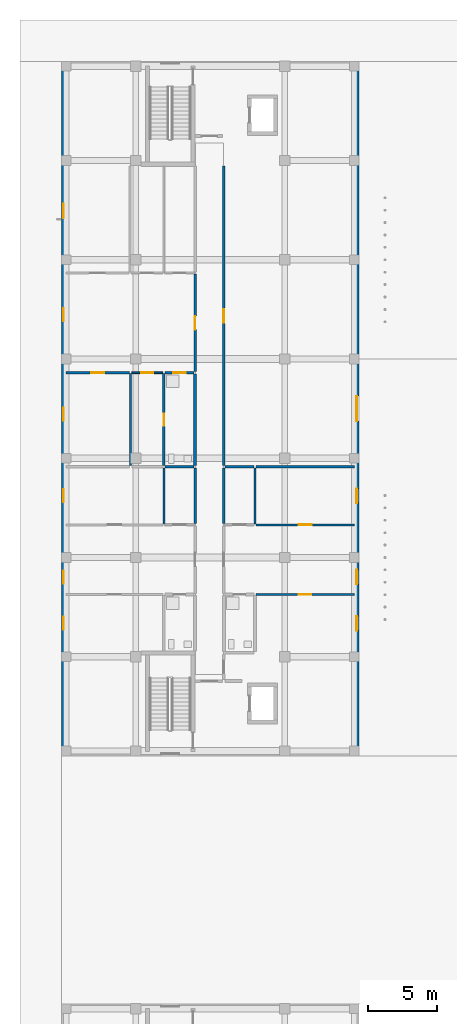
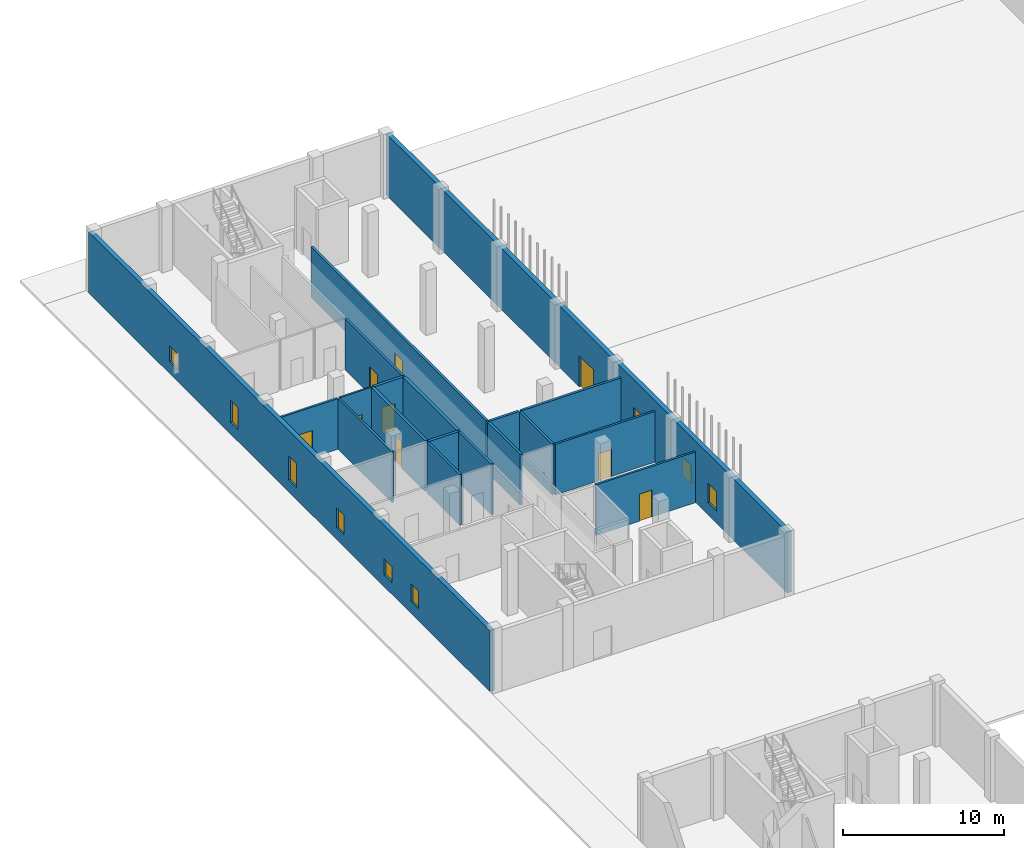
# One storey, part 44 of 85: 19 walls, 9 doors, 9 windows, 18 openings.
"""IFC4 building model written with IfcOpenShell, lengths in metres."""

from ifc_helpers import new_model, si_unit, derived_unit, direction, frame, frame_2d, origin, place, context, subcontext, project, spatial, rectangle, extrude, material, layer, layer_set, type_object, element, fill, save


model = new_model("IFC4")

# Units and contexts
model_context = context("Model", 3, precision=1e-05, world=origin(), true_north=direction((0.0, 1.0)))
body_context = subcontext(model_context, "Body", "Model", "MODEL_VIEW")
ifc_project = project(units=[si_unit("LENGTHUNIT", "METRE"), si_unit("AREAUNIT", "SQUARE_METRE"), si_unit("VOLUMEUNIT", "CUBIC_METRE"), si_unit("PLANEANGLEUNIT", "RADIAN"), si_unit("MASSUNIT", "GRAM", prefix="KILO"), derived_unit("THERMALTRANSMITTANCEUNIT", [(si_unit("MASSUNIT", "GRAM", prefix="KILO"), 1), (si_unit("TIMEUNIT", "SECOND"), -3), (si_unit("THERMODYNAMICTEMPERATUREUNIT", "KELVIN"), -1)])], contexts=[model_context])

# Site, building, storey
site_placement = place(None, origin())
site = spatial("IfcSite", under=ifc_project, at=site_placement, CompositionType="ELEMENT")
building_placement = place(site_placement, origin())
building = spatial("IfcBuilding", under=site, at=building_placement, Name="Ochrekiln Boulevard Commons", CompositionType="ELEMENT")
storey_placement = place(building_placement, origin())
storey = spatial("IfcBuildingStorey", under=building, at=storey_placement, Name="L00", CompositionType="ELEMENT", Elevation=0.0)

# Wall, openings, windows
ifc_material_1 = material(Name="Desert ochre clinker brick masonry ASTM C216 Grade SW", Category="masonry")
ifc_layer_1 = layer(ifc_material_1, 0.320068359375)
ifc_layer_set_1 = layer_set([ifc_layer_1], Name="Desert ochre clinker brick masonry ASTM C216 Grade SW")
wall_type_1 = type_object("IfcWallType", Name="WL-EXT-OCHRE-320", PredefinedType="SOLIDWALL", material=ifc_layer_set_1)
wall_1_placement = place(storey_placement, frame((0.159912109375, 68.719970703125, 0.0), z_axis=(0.0, 0.0, 1.0), x_axis=(0.0, 1.0, 0.0)))
wall_1 = element("IfcWall", 1, at=wall_1_placement, inside=storey, type_object=wall_type_1, Name="Block A L00 W Exterior Wall", PredefinedType="SOLIDWALL", context=body_context, shape_type="SweptSolid", body=[
    extrude(rectangle(XDim=49.760009765625, YDim=0.320068359375, at=frame_2d((24.8798828125, 0.0))), origin(), (0.0, 0.0, 1.0), 4.639892578125),
])
opening_1_placement = place(wall_1_placement, frame((12.1689453125, 0.0, 0.89990234375)))
opening_1 = element("IfcOpeningElement", 2, at=opening_1_placement, cuts=wall_1, Name="Opening W-01", PredefinedType="OPENING", context=body_context, shape_type="SweptSolid", body=[
    extrude(rectangle(XDim=0.949951171875, YDim=1.199951171875, at=frame_2d((0.47509765625, 0.60009765625))), frame((0.0, 0.169921875, 0.0), z_axis=(0.0, -1.0, 0.0), x_axis=(1.0, 0.0, 0.0)), (0.0, 0.0, 1.0), 0.340087890625),
])
opening_2_placement = place(wall_1_placement, frame((8.824951171875, 0.0, 0.89990234375)))
opening_2 = element("IfcOpeningElement", 3, at=opening_2_placement, cuts=wall_1, Name="Opening W-02", PredefinedType="OPENING", context=body_context, shape_type="SweptSolid", body=[
    extrude(rectangle(XDim=0.949951171875, YDim=1.35009765625, at=frame_2d((0.47509765625, 0.675048828125))), frame((0.0, 0.169921875, 0.0), z_axis=(0.0, -1.0, 0.0), x_axis=(1.0, 0.0, 0.0)), (0.0, 0.0, 1.0), 0.340087890625),
])
opening_3_placement = place(wall_1_placement, frame((18.072021484375, 0.0, 0.89990234375)))
opening_3 = element("IfcOpeningElement", 4, at=opening_3_placement, cuts=wall_1, Name="Opening W-03", PredefinedType="OPENING", context=body_context, shape_type="SweptSolid", body=[
    extrude(rectangle(XDim=0.949951171875, YDim=1.5, at=frame_2d((0.47509765625, 0.75))), frame((0.0, 0.169921875, 0.0), z_axis=(0.0, -1.0, 0.0), x_axis=(1.0, 0.0, 0.0)), (0.0, 0.0, 1.0), 0.340087890625),
])
opening_4_placement = place(wall_1_placement, frame((31.22509765625, 0.0, 0.89990234375)))
opening_4 = element("IfcOpeningElement", 5, at=opening_4_placement, cuts=wall_1, Name="Opening W-04", PredefinedType="OPENING", context=body_context, shape_type="SweptSolid", body=[
    extrude(rectangle(XDim=0.949951171875, YDim=1.64990234375, at=frame_2d((0.47509765625, 0.824951171875))), frame((0.0, 0.169921875, 0.0), z_axis=(0.0, -1.0, 0.0), x_axis=(1.0, 0.0, 0.0)), (0.0, 0.0, 1.0), 0.340087890625),
])
opening_5_placement = place(wall_1_placement, frame((24.001953125, 0.0, 0.89990234375)))
opening_5 = element("IfcOpeningElement", 6, at=opening_5_placement, cuts=wall_1, Name="Opening W-05", PredefinedType="OPENING", context=body_context, shape_type="SweptSolid", body=[
    extrude(rectangle(XDim=0.949951171875, YDim=1.800048828125, at=frame_2d((0.47509765625, 0.89990234375))), frame((0.0, 0.169921875, 0.0), z_axis=(0.0, -1.0, 0.0), x_axis=(1.0, 0.0, 0.0)), (0.0, 0.0, 1.0), 0.340087890625),
])
opening_6_placement = place(wall_1_placement, frame((38.68994140625, 0.0, 0.89990234375)))
opening_6 = element("IfcOpeningElement", 7, at=opening_6_placement, cuts=wall_1, Name="Opening W-06", PredefinedType="OPENING", context=body_context, shape_type="SweptSolid", body=[
    extrude(rectangle(XDim=1.050048828125, YDim=1.199951171875, at=frame_2d((0.52490234375, 0.60009765625))), frame((0.0, 0.169921875, 0.0), z_axis=(0.0, -1.0, 0.0), x_axis=(1.0, 0.0, 0.0)), (0.0, 0.0, 1.0), 0.340087890625),
])
ifc_material_2 = material(Name="Thermally broken aluminium-clad oak frame", Category="aluminium")
window_type_1 = type_object("IfcWindowType", Name="WIN-EXT-01", PartitioningType="SINGLE_PANEL", PredefinedType="WINDOW", material=ifc_material_2)
window_1_placement = place(opening_1_placement, origin())
window_1 = element("IfcWindow", 8, at=window_1_placement, inside=storey, type_object=window_type_1, Name="Block A L00 Punched Masonry Window W-01", OverallHeight=1.199951171875, OverallWidth=0.949951171875, PartitioningType="SINGLE_PANEL", PredefinedType="WINDOW", context=body_context, shape_type="SweptSolid", body=[
    extrude(rectangle(XDim=0.949951171875, YDim=1.199951171875, at=frame_2d((0.47509765625, 0.60009765625))), frame((0.0, 0.030029296875, 0.0), z_axis=(0.0, -1.0, 0.0), x_axis=(1.0, 0.0, 0.0)), (0.0, 0.0, 1.0), 0.06005859375),
])
fill(opening_1, window_1)
window_type_2 = type_object("IfcWindowType", Name="WIN-EXT-02", PartitioningType="SINGLE_PANEL", PredefinedType="WINDOW", material=ifc_material_2)
window_2_placement = place(opening_2_placement, origin())
window_2 = element("IfcWindow", 9, at=window_2_placement, inside=storey, type_object=window_type_2, Name="Block A L00 Punched Masonry Window W-02", OverallHeight=1.35009765625, OverallWidth=0.949951171875, PartitioningType="SINGLE_PANEL", PredefinedType="WINDOW", context=body_context, shape_type="SweptSolid", body=[
    extrude(rectangle(XDim=0.949951171875, YDim=1.35009765625, at=frame_2d((0.47509765625, 0.675048828125))), frame((0.0, 0.030029296875, 0.0), z_axis=(0.0, -1.0, 0.0), x_axis=(1.0, 0.0, 0.0)), (0.0, 0.0, 1.0), 0.06005859375),
])
fill(opening_2, window_2)
window_type_3 = type_object("IfcWindowType", Name="WIN-EXT-03", PartitioningType="SINGLE_PANEL", PredefinedType="WINDOW", material=ifc_material_2)
window_3_placement = place(opening_3_placement, origin())
window_3 = element("IfcWindow", 10, at=window_3_placement, inside=storey, type_object=window_type_3, Name="Block A L00 Punched Masonry Window W-03", OverallHeight=1.5, OverallWidth=0.949951171875, PartitioningType="SINGLE_PANEL", PredefinedType="WINDOW", context=body_context, shape_type="SweptSolid", body=[
    extrude(rectangle(XDim=0.949951171875, YDim=1.5, at=frame_2d((0.47509765625, 0.75))), frame((0.0, 0.030029296875, 0.0), z_axis=(0.0, -1.0, 0.0), x_axis=(1.0, 0.0, 0.0)), (0.0, 0.0, 1.0), 0.06005859375),
])
fill(opening_3, window_3)
window_type_4 = type_object("IfcWindowType", Name="WIN-EXT-04", PartitioningType="SINGLE_PANEL", PredefinedType="WINDOW", material=ifc_material_2)
window_4_placement = place(opening_4_placement, origin())
window_4 = element("IfcWindow", 11, at=window_4_placement, inside=storey, type_object=window_type_4, Name="Block A L00 Punched Masonry Window W-04", OverallHeight=1.64990234375, OverallWidth=0.949951171875, PartitioningType="SINGLE_PANEL", PredefinedType="WINDOW", context=body_context, shape_type="SweptSolid", body=[
    extrude(rectangle(XDim=0.949951171875, YDim=1.64990234375, at=frame_2d((0.47509765625, 0.824951171875))), frame((0.0, 0.030029296875, 0.0), z_axis=(0.0, -1.0, 0.0), x_axis=(1.0, 0.0, 0.0)), (0.0, 0.0, 1.0), 0.06005859375),
])
fill(opening_4, window_4)
window_type_5 = type_object("IfcWindowType", Name="WIN-EXT-05", PartitioningType="SINGLE_PANEL", PredefinedType="WINDOW", material=ifc_material_2)
window_5_placement = place(opening_5_placement, origin())
window_5 = element("IfcWindow", 12, at=window_5_placement, inside=storey, type_object=window_type_5, Name="Block A L00 Punched Masonry Window W-05", OverallHeight=1.800048828125, OverallWidth=0.949951171875, PartitioningType="SINGLE_PANEL", PredefinedType="WINDOW", context=body_context, shape_type="SweptSolid", body=[
    extrude(rectangle(XDim=0.949951171875, YDim=1.800048828125, at=frame_2d((0.47509765625, 0.89990234375))), frame((0.0, 0.030029296875, 0.0), z_axis=(0.0, -1.0, 0.0), x_axis=(1.0, 0.0, 0.0)), (0.0, 0.0, 1.0), 0.06005859375),
])
fill(opening_5, window_5)
window_type_6 = type_object("IfcWindowType", Name="WIN-EXT-06", PartitioningType="SINGLE_PANEL", PredefinedType="WINDOW", material=ifc_material_2)
window_6_placement = place(opening_6_placement, origin())
window_6 = element("IfcWindow", 13, at=window_6_placement, inside=storey, type_object=window_type_6, Name="Block A L00 Punched Masonry Window W-06", OverallHeight=1.199951171875, OverallWidth=1.050048828125, PartitioningType="SINGLE_PANEL", PredefinedType="WINDOW", context=body_context, shape_type="SweptSolid", body=[
    extrude(rectangle(XDim=1.050048828125, YDim=1.199951171875, at=frame_2d((0.52490234375, 0.60009765625))), frame((0.0, 0.030029296875, 0.0), z_axis=(0.0, -1.0, 0.0), x_axis=(1.0, 0.0, 0.0)), (0.0, 0.0, 1.0), 0.06005859375),
])
fill(opening_6, window_6)

# Wall, openings, door, windows
wall_2_placement = place(storey_placement, frame((21.43994140625, 68.719970703125, 0.0), z_axis=(0.0, 0.0, 1.0), x_axis=(0.0, 1.0, 0.0)))
wall_2 = element("IfcWall", 14, at=wall_2_placement, inside=storey, type_object=wall_type_1, Name="Block A L00 E Exterior Wall", PredefinedType="SOLIDWALL", context=body_context, shape_type="SweptSolid", body=[
    extrude(rectangle(XDim=49.760009765625, YDim=0.320068359375, at=frame_2d((24.8798828125, 0.0))), origin(), (0.0, 0.0, 1.0), 4.639892578125),
])
opening_7_placement = place(wall_2_placement, frame((23.97998046875, 0.0, 0.0)))
opening_7 = element("IfcOpeningElement", 15, at=opening_7_placement, cuts=wall_2, Name="Opening D-L00-MN03", PredefinedType="OPENING", context=body_context, shape_type="SweptSolid", body=[
    extrude(rectangle(XDim=1.800048828125, YDim=2.35009765625, at=frame_2d((0.89990234375, 1.175048828125))), frame((0.0, 0.169921875, 0.0), z_axis=(0.0, -1.0, 0.0), x_axis=(1.0, 0.0, 0.0)), (0.0, 0.0, 1.0), 0.340087890625),
])
opening_8_placement = place(wall_2_placement, frame((12.118896484375, 0.0, 0.89990234375)))
opening_8 = element("IfcOpeningElement", 16, at=opening_8_placement, cuts=wall_2, Name="Opening W-07", PredefinedType="OPENING", context=body_context, shape_type="SweptSolid", body=[
    extrude(rectangle(XDim=1.050048828125, YDim=1.35009765625, at=frame_2d((0.52490234375, 0.675048828125))), frame((0.0, 0.169921875, 0.0), z_axis=(0.0, -1.0, 0.0), x_axis=(1.0, 0.0, 0.0)), (0.0, 0.0, 1.0), 0.340087890625),
])
opening_9_placement = place(wall_2_placement, frame((8.77392578125, 0.0, 0.89990234375)))
opening_9 = element("IfcOpeningElement", 17, at=opening_9_placement, cuts=wall_2, Name="Opening W-08", PredefinedType="OPENING", context=body_context, shape_type="SweptSolid", body=[
    extrude(rectangle(XDim=1.050048828125, YDim=1.5, at=frame_2d((0.52490234375, 0.75))), frame((0.0, 0.169921875, 0.0), z_axis=(0.0, -1.0, 0.0), x_axis=(1.0, 0.0, 0.0)), (0.0, 0.0, 1.0), 0.340087890625),
])
opening_10_placement = place(wall_2_placement, frame((18.02197265625, 0.0, 0.89990234375)))
opening_10 = element("IfcOpeningElement", 18, at=opening_10_placement, cuts=wall_2, Name="Opening W-09", PredefinedType="OPENING", context=body_context, shape_type="SweptSolid", body=[
    extrude(rectangle(XDim=1.050048828125, YDim=1.64990234375, at=frame_2d((0.52490234375, 0.824951171875))), frame((0.0, 0.169921875, 0.0), z_axis=(0.0, -1.0, 0.0), x_axis=(1.0, 0.0, 0.0)), (0.0, 0.0, 1.0), 0.340087890625),
])
ifc_material_3 = material(Name="Bronze-anodized extruded aluminium 6063-T6", Category="aluminium")
door_type_1 = type_object("IfcDoorType", Name="DR-EXT-MAIN-180", OperationType="DOUBLE_DOOR_SINGLE_SWING", PredefinedType="DOOR", material=ifc_material_3)
door_1_placement = place(opening_7_placement, frame((1.800048828125, 0.0, 0.0), z_axis=(0.0, 0.0, 1.0), x_axis=(-1.0, 0.0, 0.0)))
door_1 = element("IfcDoor", 19, at=door_1_placement, inside=storey, type_object=door_type_1, Name="Block A Main Pedestrian Entrance and Final Exit Door", OperationType="DOUBLE_DOOR_SINGLE_SWING", OverallHeight=2.35009765625, OverallWidth=1.800048828125, PredefinedType="DOOR", context=body_context, shape_type="SweptSolid", body=[
    extrude(rectangle(XDim=1.800048828125, YDim=2.35009765625, at=frame_2d((0.89990234375, 1.175048828125))), frame((0.0, 0.02490234375, 0.0), z_axis=(0.0, -1.0, 0.0), x_axis=(1.0, 0.0, 0.0)), (0.0, 0.0, 1.0), 0.050048828125),
])
fill(opening_7, door_1)
window_type_7 = type_object("IfcWindowType", Name="WIN-EXT-07", PartitioningType="SINGLE_PANEL", PredefinedType="WINDOW", material=ifc_material_2)
window_7_placement = place(opening_8_placement, origin())
window_7 = element("IfcWindow", 20, at=window_7_placement, inside=storey, type_object=window_type_7, Name="Block A L00 Punched Masonry Window W-07", OverallHeight=1.35009765625, OverallWidth=1.050048828125, PartitioningType="SINGLE_PANEL", PredefinedType="WINDOW", context=body_context, shape_type="SweptSolid", body=[
    extrude(rectangle(XDim=1.050048828125, YDim=1.35009765625, at=frame_2d((0.52490234375, 0.675048828125))), frame((0.0, 0.030029296875, 0.0), z_axis=(0.0, -1.0, 0.0), x_axis=(1.0, 0.0, 0.0)), (0.0, 0.0, 1.0), 0.06005859375),
])
fill(opening_8, window_7)
window_type_8 = type_object("IfcWindowType", Name="WIN-EXT-08", PartitioningType="SINGLE_PANEL", PredefinedType="WINDOW", material=ifc_material_2)
window_8_placement = place(opening_9_placement, origin())
window_8 = element("IfcWindow", 21, at=window_8_placement, inside=storey, type_object=window_type_8, Name="Block A L00 Punched Masonry Window W-08", OverallHeight=1.5, OverallWidth=1.050048828125, PartitioningType="SINGLE_PANEL", PredefinedType="WINDOW", context=body_context, shape_type="SweptSolid", body=[
    extrude(rectangle(XDim=1.050048828125, YDim=1.5, at=frame_2d((0.52490234375, 0.75))), frame((0.0, 0.030029296875, 0.0), z_axis=(0.0, -1.0, 0.0), x_axis=(1.0, 0.0, 0.0)), (0.0, 0.0, 1.0), 0.06005859375),
])
fill(opening_9, window_8)
window_type_9 = type_object("IfcWindowType", Name="WIN-EXT-09", PartitioningType="SINGLE_PANEL", PredefinedType="WINDOW", material=ifc_material_2)
window_9_placement = place(opening_10_placement, origin())
window_9 = element("IfcWindow", 22, at=window_9_placement, inside=storey, type_object=window_type_9, Name="Block A L00 Punched Masonry Window W-09", OverallHeight=1.64990234375, OverallWidth=1.050048828125, PartitioningType="SINGLE_PANEL", PredefinedType="WINDOW", context=body_context, shape_type="SweptSolid", body=[
    extrude(rectangle(XDim=1.050048828125, YDim=1.64990234375, at=frame_2d((0.52490234375, 0.824951171875))), frame((0.0, 0.030029296875, 0.0), z_axis=(0.0, -1.0, 0.0), x_axis=(1.0, 0.0, 0.0)), (0.0, 0.0, 1.0), 0.06005859375),
])
fill(opening_10, window_9)

# Wall
ifc_material_4 = material(Name="Moisture-resistant cementitious tile backer wall")
ifc_layer_2 = layer(ifc_material_4, 0.199951171875)
ifc_layer_set_2 = layer_set([ifc_layer_2], Name="Moisture-resistant cementitious tile backer wall")
wall_type_2 = type_object("IfcWallType", Name="WL-PLM-200", PredefinedType="PLUMBINGWALL", material=ifc_layer_set_2)
wall_3_placement = place(storey_placement, frame((7.52001953125, 89.3759765625, 0.0), z_axis=(0.0, 0.0, 1.0), x_axis=(1.0, 0.0, 0.0)))
element("IfcWall", 23, at=wall_3_placement, inside=storey, type_object=wall_type_2, Name="L00 Interior Wall W-PW200", PredefinedType="PLUMBINGWALL", context=body_context, shape_type="SweptSolid", body=[
    extrude(rectangle(XDim=2.10791015625, YDim=0.199951171875, at=frame_2d((1.053955078125, 0.0))), origin(), (0.0, 0.0, 1.0), 3.840087890625),
])

# Wall, opening, door
wall_4_placement = place(storey_placement, frame((7.52001953125, 96.2041015625, 0.0), z_axis=(0.0, 0.0, 1.0), x_axis=(1.0, 0.0, 0.0)))
wall_4 = element("IfcWall", 24, at=wall_4_placement, inside=storey, type_object=wall_type_2, Name="L00 Interior Wall W-PW200", PredefinedType="PLUMBINGWALL", context=body_context, shape_type="SweptSolid", body=[
    extrude(rectangle(XDim=2.10791015625, YDim=0.199951171875, at=frame_2d((1.053955078125, 0.0))), origin(), (0.0, 0.0, 1.0), 3.840087890625),
])
opening_11_placement = place(wall_4_placement, frame((0.60498046875, 0.0, 0.0)))
opening_11 = element("IfcOpeningElement", 25, at=opening_11_placement, cuts=wall_4, Name="Opening D-L00-012", PredefinedType="OPENING", context=body_context, shape_type="SweptSolid", body=[
    extrude(rectangle(XDim=0.889892578125, YDim=2.030029296875, at=frame_2d((0.44482421875, 1.01513671875))), frame((0.0, 0.10986328125, 0.0), z_axis=(0.0, -1.0, 0.0), x_axis=(1.0, 0.0, 0.0)), (0.0, 0.0, 1.0), 0.219970703125),
])
ifc_material_5 = material(Name="Solid core architectural oak door leaf")
door_type_2 = type_object("IfcDoorType", Name="DR-INT-BTH-089", OperationType="NOTDEFINED", PredefinedType="DOOR", material=ifc_material_5)
door_2_placement = place(opening_11_placement, frame((0.889892578125, 0.0, 0.0), z_axis=(0.0, 0.0, 1.0), x_axis=(-1.0, 0.0, 0.0)))
door_2 = element("IfcDoor", 26, at=door_2_placement, inside=storey, type_object=door_type_2, Name="L00 Interior Door to Apartment Bathroom", OperationType="SINGLE_SWING_RIGHT", OverallHeight=2.030029296875, OverallWidth=0.889892578125, PredefinedType="DOOR", context=body_context, shape_type="SweptSolid", body=[
    extrude(rectangle(XDim=0.889892578125, YDim=2.030029296875, at=frame_2d((0.44482421875, 1.01513671875))), frame((0.0, 0.02490234375, 0.0), z_axis=(0.0, -1.0, 0.0), x_axis=(1.0, 0.0, 0.0)), (0.0, 0.0, 1.0), 0.050048828125),
])
fill(opening_11, door_2)

wall_5_placement = place(storey_placement, frame((7.43994140625, 89.466064453125, 0.0), z_axis=(0.0, 0.0, 1.0), x_axis=(0.0, 1.0, 0.0)))
wall_5 = element("IfcWall", 27, at=wall_5_placement, inside=storey, type_object=wall_type_2, Name="L00 Interior Wall W-PW200", PredefinedType="PLUMBINGWALL", context=body_context, shape_type="SweptSolid", body=[
    extrude(rectangle(XDim=6.677978515625, YDim=0.199951171875, at=frame_2d((3.3388671875, 0.0))), origin(), (0.0, 0.0, 1.0), 3.840087890625),
])
opening_12_placement = place(wall_5_placement, frame((2.904052734375, 0.0, 0.0)))
opening_12 = element("IfcOpeningElement", 28, at=opening_12_placement, cuts=wall_5, Name="Opening D-L00-018", PredefinedType="OPENING", context=body_context, shape_type="SweptSolid", body=[
    extrude(rectangle(XDim=0.85009765625, YDim=2.010009765625, at=frame_2d((0.425048828125, 1.0048828125))), frame((0.0, 0.10986328125, 0.0), z_axis=(0.0, -1.0, 0.0), x_axis=(1.0, 0.0, 0.0)), (0.0, 0.0, 1.0), 0.219970703125),
])
door_type_3 = type_object("IfcDoorType", Name="DR-INT-KIT-085", OperationType="NOTDEFINED", PredefinedType="DOOR", material=ifc_material_5)
door_3_placement = place(opening_12_placement, frame((0.85009765625, 0.0, 0.0), z_axis=(0.0, 0.0, 1.0), x_axis=(-1.0, 0.0, 0.0)))
door_3 = element("IfcDoor", 29, at=door_3_placement, inside=storey, type_object=door_type_3, Name="L00 Interior Door to Apartment Bathroom", OperationType="SINGLE_SWING_RIGHT", OverallHeight=2.010009765625, OverallWidth=0.85009765625, PredefinedType="DOOR", context=body_context, shape_type="SweptSolid", body=[
    extrude(rectangle(XDim=0.85009765625, YDim=2.010009765625, at=frame_2d((0.425048828125, 1.0048828125))), frame((0.0, 0.02490234375, 0.0), z_axis=(0.0, -1.0, 0.0), x_axis=(1.0, 0.0, 0.0)), (0.0, 0.0, 1.0), 0.050048828125),
])
fill(opening_12, door_3)

# Walls
ifc_layer_3 = layer(ifc_material_4, 0.219970703125)
ifc_layer_set_3 = layer_set([ifc_layer_3], Name="Moisture-resistant cementitious tile backer wall")
wall_type_3 = type_object("IfcWallType", Name="WL-PLM-220", PredefinedType="PLUMBINGWALL", material=ifc_layer_set_3)
wall_6_placement = place(storey_placement, frame((9.7099609375, 89.466064453125, 0.0), z_axis=(0.0, 0.0, 1.0), x_axis=(0.0, 1.0, 0.0)))
element("IfcWall", 30, at=wall_6_placement, inside=storey, type_object=wall_type_3, Name="L00 Interior Wall W-PW220", PredefinedType="PLUMBINGWALL", context=body_context, shape_type="SweptSolid", body=[
    extrude(rectangle(XDim=6.657958984375, YDim=0.219970703125, at=frame_2d((3.3291015625, 0.0))), origin(), (0.0, 0.0, 1.0), 3.840087890625),
])
ifc_material_6 = material(Name="Fire-rated Type X gypsum board on steel studs", Category="steel")
ifc_layer_4 = layer(ifc_material_6, 0.169921875)
ifc_layer_set_4 = layer_set([ifc_layer_4], Name="Fire-rated Type X gypsum board on steel studs")
wall_type_4 = type_object("IfcWallType", Name="WL-PT-CIV-170", PredefinedType="PARTITIONING", material=ifc_layer_set_4)
wall_7_placement = place(storey_placement, frame((11.8720703125, 89.3759765625, 0.0), z_axis=(0.0, 0.0, 1.0), x_axis=(1.0, 0.0, 0.0)))
element("IfcWall", 31, at=wall_7_placement, inside=storey, type_object=wall_type_4, Name="L00 Interior Wall W-PV170", PredefinedType="PARTITIONING", context=body_context, shape_type="SweptSolid", body=[
    extrude(rectangle(XDim=2.113037109375, YDim=0.169921875, at=frame_2d((1.056640625, 0.0))), origin(), (0.0, 0.0, 1.0), 3.840087890625),
])
wall_8_placement = place(storey_placement, frame((14.135009765625, 89.3759765625, 0.0), z_axis=(0.0, 0.0, 1.0), x_axis=(1.0, 0.0, 0.0)))
element("IfcWall", 32, at=wall_8_placement, inside=storey, type_object=wall_type_4, Name="L00 Interior Wall W-PV170", PredefinedType="PARTITIONING", context=body_context, shape_type="SweptSolid", body=[
    extrude(rectangle(XDim=7.14501953125, YDim=0.169921875, at=frame_2d((3.572509765625, 0.0))), origin(), (0.0, 0.0, 1.0), 3.840087890625),
])
ifc_layer_5 = layer(ifc_material_6, 0.1650390625)
ifc_layer_set_5 = layer_set([ifc_layer_5], Name="Fire-rated Type X gypsum board on steel studs")
wall_type_5 = type_object("IfcWallType", Name="WL-PT-CORR-165", PredefinedType="PARTITIONING", material=ifc_layer_set_5)
wall_9_placement = place(storey_placement, frame((9.7099609375, 85.2470703125, 0.0), z_axis=(0.0, 0.0, 1.0), x_axis=(0.0, 1.0, 0.0)))
element("IfcWall", 33, at=wall_9_placement, inside=storey, type_object=wall_type_5, Name="L00 Interior Wall W-PC165", PredefinedType="PARTITIONING", context=body_context, shape_type="SweptSolid", body=[
    extrude(rectangle(XDim=4.038818359375, YDim=0.1650390625, at=frame_2d((2.01953125, 0.0))), origin(), (0.0, 0.0, 1.0), 3.840087890625),
])

# Wall, opening, door
wall_10_placement = place(storey_placement, frame((9.7099609375, 96.283935546875, 0.0), z_axis=(0.0, 0.0, 1.0), x_axis=(0.0, 1.0, 0.0)))
wall_10 = element("IfcWall", 34, at=wall_10_placement, inside=storey, type_object=wall_type_5, Name="L00 Interior Wall W-PC165", PredefinedType="PARTITIONING", context=body_context, shape_type="SweptSolid", body=[
    extrude(rectangle(XDim=7.086181640625, YDim=0.1650390625, at=frame_2d((3.54296875, 0.0))), origin(), (0.0, 0.0, 1.0), 3.840087890625),
])
opening_13_placement = place(wall_10_placement, frame((3.052978515625, 0.0, 0.0)))
opening_13 = element("IfcOpeningElement", 35, at=opening_13_placement, cuts=wall_10, Name="Opening D-L00-005", PredefinedType="OPENING", context=body_context, shape_type="SweptSolid", body=[
    extrude(rectangle(XDim=0.97998046875, YDim=2.080078125, at=frame_2d((0.489990234375, 1.0400390625))), frame((0.0, 0.092529296875, 0.0), z_axis=(0.0, -1.0, 0.0), x_axis=(1.0, 0.0, 0.0)), (0.0, 0.0, 1.0), 0.18505859375),
])
door_type_4 = type_object("IfcDoorType", Name="DR-APT-60", OperationType="NOTDEFINED", PredefinedType="DOOR", material=ifc_material_5)
door_4_placement = place(opening_13_placement, origin())
door_4 = element("IfcDoor", 36, at=door_4_placement, inside=storey, type_object=door_type_4, Name="L00 Interior Door to Two-Bedroom Apartment Living Room", OperationType="SINGLE_SWING_LEFT", OverallHeight=2.080078125, OverallWidth=0.97998046875, PredefinedType="DOOR", context=body_context, shape_type="SweptSolid", body=[
    extrude(rectangle(XDim=0.97998046875, YDim=2.080078125, at=frame_2d((0.489990234375, 1.0400390625))), frame((0.0, 0.02490234375, 0.0), z_axis=(0.0, -1.0, 0.0), x_axis=(1.0, 0.0, 0.0)), (0.0, 0.0, 1.0), 0.050048828125),
])
fill(opening_13, door_4)

# Wall
wall_11_placement = place(storey_placement, frame((11.7900390625, 85.2470703125, 0.0), z_axis=(0.0, 0.0, 1.0), x_axis=(0.0, 1.0, 0.0)))
element("IfcWall", 37, at=wall_11_placement, inside=storey, type_object=wall_type_5, Name="L00 Interior Wall W-PC165", PredefinedType="PARTITIONING", context=body_context, shape_type="SweptSolid", body=[
    extrude(rectangle(XDim=4.038818359375, YDim=0.1650390625, at=frame_2d((2.01953125, 0.0))), origin(), (0.0, 0.0, 1.0), 3.840087890625),
])

# Wall, opening, door
wall_12_placement = place(storey_placement, frame((11.7900390625, 89.466064453125, 0.0), z_axis=(0.0, 0.0, 1.0), x_axis=(0.0, 1.0, 0.0)))
wall_12 = element("IfcWall", 38, at=wall_12_placement, inside=storey, type_object=wall_type_5, Name="L00 Interior Wall W-PC165", PredefinedType="PARTITIONING", context=body_context, shape_type="SweptSolid", body=[
    extrude(rectangle(XDim=21.73388671875, YDim=0.1650390625, at=frame_2d((10.866943359375, 0.0))), origin(), (0.0, 0.0, 1.0), 3.840087890625),
])
opening_14_placement = place(wall_12_placement, frame((10.376953125, 0.0, 0.0)))
opening_14 = element("IfcOpeningElement", 39, at=opening_14_placement, cuts=wall_12, Name="Opening D-L00-007", PredefinedType="OPENING", context=body_context, shape_type="SweptSolid", body=[
    extrude(rectangle(XDim=0.97998046875, YDim=2.080078125, at=frame_2d((0.489990234375, 1.0400390625))), frame((0.0, 0.092529296875, 0.0), z_axis=(0.0, -1.0, 0.0), x_axis=(1.0, 0.0, 0.0)), (0.0, 0.0, 1.0), 0.18505859375),
])
door_5_placement = place(opening_14_placement, frame((0.97998046875, 0.0, 0.0), z_axis=(0.0, 0.0, 1.0), x_axis=(-1.0, 0.0, 0.0)))
door_5 = element("IfcDoor", 40, at=door_5_placement, inside=storey, type_object=door_type_4, Name="L00 Interior Door to Block A Ground Entrance Lobby", OperationType="SINGLE_SWING_LEFT", OverallHeight=2.080078125, OverallWidth=0.97998046875, PredefinedType="DOOR", context=body_context, shape_type="SweptSolid", body=[
    extrude(rectangle(XDim=0.97998046875, YDim=2.080078125, at=frame_2d((0.489990234375, 1.0400390625))), frame((0.0, 0.02490234375, 0.0), z_axis=(0.0, -1.0, 0.0), x_axis=(1.0, 0.0, 0.0)), (0.0, 0.0, 1.0), 0.050048828125),
])
fill(opening_14, door_5)

ifc_layer_6 = layer(ifc_material_6, 0.1201171875)
ifc_layer_set_6 = layer_set([ifc_layer_6], Name="Fire-rated Type X gypsum board on steel studs")
wall_type_6 = type_object("IfcWallType", Name="WL-PT-LGT-120", PredefinedType="PARTITIONING", material=ifc_layer_set_6)
wall_13_placement = place(storey_placement, frame((5.110107421875, 96.2041015625, 0.0), z_axis=(0.0, 0.0, 1.0), x_axis=(1.0, 0.0, 0.0)))
wall_13 = element("IfcWall", 41, at=wall_13_placement, inside=storey, type_object=wall_type_6, Name="L00 Interior Wall W-PL120", PredefinedType="PARTITIONING", context=body_context, shape_type="SweptSolid", body=[
    extrude(rectangle(XDim=2.25, YDim=0.1201171875, at=frame_2d((1.125, 0.0))), origin(), (0.0, 0.0, 1.0), 3.840087890625),
])
opening_15_placement = place(wall_13_placement, frame((0.699951171875, 0.0, 0.0)))
opening_15 = element("IfcOpeningElement", 42, at=opening_15_placement, cuts=wall_13, Name="Opening D-L00-015", PredefinedType="OPENING", context=body_context, shape_type="SweptSolid", body=[
    extrude(rectangle(XDim=0.85009765625, YDim=2.010009765625, at=frame_2d((0.425048828125, 1.0048828125))), frame((0.0, 0.070068359375, 0.0), z_axis=(0.0, -1.0, 0.0), x_axis=(1.0, 0.0, 0.0)), (0.0, 0.0, 1.0), 0.14013671875),
])
door_6_placement = place(opening_15_placement, frame((0.85009765625, 0.0, 0.0), z_axis=(0.0, 0.0, 1.0), x_axis=(-1.0, 0.0, 0.0)))
door_6 = element("IfcDoor", 43, at=door_6_placement, inside=storey, type_object=door_type_3, Name="L00 Interior Door to Apartment Walk-In Wardrobe", OperationType="SINGLE_SWING_LEFT", OverallHeight=2.010009765625, OverallWidth=0.85009765625, PredefinedType="DOOR", context=body_context, shape_type="SweptSolid", body=[
    extrude(rectangle(XDim=0.85009765625, YDim=2.010009765625, at=frame_2d((0.425048828125, 1.0048828125))), frame((0.0, 0.02490234375, 0.0), z_axis=(0.0, -1.0, 0.0), x_axis=(1.0, 0.0, 0.0)), (0.0, 0.0, 1.0), 0.050048828125),
])
fill(opening_15, door_6)

# Wall
ifc_layer_7 = layer(ifc_material_6, 0.14990234375)
ifc_layer_set_7 = layer_set([ifc_layer_7], Name="Fire-rated Type X gypsum board on steel studs")
wall_type_7 = type_object("IfcWallType", Name="WL-PT-STD-150", PredefinedType="PARTITIONING", material=ifc_layer_set_7)
wall_14_placement = place(storey_placement, frame((7.43994140625, 85.22705078125, 0.0), z_axis=(0.0, 0.0, 1.0), x_axis=(0.0, 1.0, 0.0)))
element("IfcWall", 44, at=wall_14_placement, inside=storey, type_object=wall_type_7, Name="L00 Interior Wall W-PS150", PredefinedType="PARTITIONING", context=body_context, shape_type="SweptSolid", body=[
    extrude(rectangle(XDim=4.058837890625, YDim=0.14990234375, at=frame_2d((2.029296875, 0.0))), origin(), (0.0, 0.0, 1.0), 3.840087890625),
])

# Wall, opening, door
wall_15_placement = place(storey_placement, frame((0.320068359375, 96.2041015625, 0.0), z_axis=(0.0, 0.0, 1.0), x_axis=(1.0, 0.0, 0.0)))
wall_15 = element("IfcWall", 45, at=wall_15_placement, inside=storey, type_object=wall_type_7, Name="L00 Interior Wall W-PS150", PredefinedType="PARTITIONING", context=body_context, shape_type="SweptSolid", body=[
    extrude(rectangle(XDim=4.6298828125, YDim=0.14990234375, at=frame_2d((2.31494140625, 0.0))), origin(), (0.0, 0.0, 1.0), 3.840087890625),
])
opening_16_placement = place(wall_15_placement, frame((1.860107421875, 0.0, 0.0)))
opening_16 = element("IfcOpeningElement", 46, at=opening_16_placement, cuts=wall_15, Name="Opening D-L00-014", PredefinedType="OPENING", context=body_context, shape_type="SweptSolid", body=[
    extrude(rectangle(XDim=0.93994140625, YDim=2.06005859375, at=frame_2d((0.469970703125, 1.030029296875))), frame((0.0, 0.0849609375, 0.0), z_axis=(0.0, -1.0, 0.0), x_axis=(1.0, 0.0, 0.0)), (0.0, 0.0, 1.0), 0.169921875),
])
door_type_5 = type_object("IfcDoorType", Name="DR-INT-BED-094", OperationType="NOTDEFINED", PredefinedType="DOOR", material=ifc_material_5)
door_7_placement = place(opening_16_placement, frame((0.93994140625, 0.0, 0.0), z_axis=(0.0, 0.0, 1.0), x_axis=(-1.0, 0.0, 0.0)))
door_7 = element("IfcDoor", 47, at=door_7_placement, inside=storey, type_object=door_type_5, Name="L00 Interior Door to Primary Apartment Bedroom", OperationType="SINGLE_SWING_RIGHT", OverallHeight=2.06005859375, OverallWidth=0.93994140625, PredefinedType="DOOR", context=body_context, shape_type="SweptSolid", body=[
    extrude(rectangle(XDim=0.93994140625, YDim=2.06005859375, at=frame_2d((0.469970703125, 1.030029296875))), frame((0.0, 0.02490234375, 0.0), z_axis=(0.0, -1.0, 0.0), x_axis=(1.0, 0.0, 0.0)), (0.0, 0.0, 1.0), 0.050048828125),
])
fill(opening_16, door_7)

# Wall
wall_16_placement = place(storey_placement, frame((5.030029296875, 89.466064453125, 0.0), z_axis=(0.0, 0.0, 1.0), x_axis=(0.0, 1.0, 0.0)))
element("IfcWall", 48, at=wall_16_placement, inside=storey, type_object=wall_type_7, Name="L00 Interior Wall W-PS150", PredefinedType="PARTITIONING", context=body_context, shape_type="SweptSolid", body=[
    extrude(rectangle(XDim=6.677978515625, YDim=0.14990234375, at=frame_2d((3.3388671875, 0.0))), origin(), (0.0, 0.0, 1.0), 3.840087890625),
])

# Wall, opening, door
wall_17_placement = place(storey_placement, frame((14.139892578125, 80.118896484375, 0.0), z_axis=(0.0, 0.0, 1.0), x_axis=(1.0, 0.0, 0.0)))
wall_17 = element("IfcWall", 49, at=wall_17_placement, inside=storey, type_object=wall_type_7, Name="L00 Interior Wall W-PS150", PredefinedType="PARTITIONING", context=body_context, shape_type="SweptSolid", body=[
    extrude(rectangle(XDim=7.14013671875, YDim=0.14990234375, at=frame_2d((3.570068359375, 0.0))), origin(), (0.0, 0.0, 1.0), 3.840087890625),
])
opening_17_placement = place(wall_17_placement, frame((3.10498046875, 0.0, 0.0)))
opening_17 = element("IfcOpeningElement", 50, at=opening_17_placement, cuts=wall_17, Name="Opening D-L00-021", PredefinedType="OPENING", context=body_context, shape_type="SweptSolid", body=[
    extrude(rectangle(XDim=0.89990234375, YDim=2.0400390625, at=frame_2d((0.449951171875, 1.02001953125))), frame((0.0, 0.0849609375, 0.0), z_axis=(0.0, -1.0, 0.0), x_axis=(1.0, 0.0, 0.0)), (0.0, 0.0, 1.0), 0.169921875),
])
door_type_6 = type_object("IfcDoorType", Name="DR-INT-BED-090", OperationType="NOTDEFINED", PredefinedType="DOOR", material=ifc_material_5)
door_8_placement = place(opening_17_placement, frame((0.89990234375, 0.0, 0.0), z_axis=(0.0, 0.0, 1.0), x_axis=(-1.0, 0.0, 0.0)))
door_8 = element("IfcDoor", 51, at=door_8_placement, inside=storey, type_object=door_type_6, Name="L00 Interior Door to Primary Apartment Bedroom", OperationType="SINGLE_SWING_LEFT", OverallHeight=2.0400390625, OverallWidth=0.89990234375, PredefinedType="DOOR", context=body_context, shape_type="SweptSolid", body=[
    extrude(rectangle(XDim=0.89990234375, YDim=2.0400390625, at=frame_2d((0.449951171875, 1.02001953125))), frame((0.0, 0.02490234375, 0.0), z_axis=(0.0, -1.0, 0.0), x_axis=(1.0, 0.0, 0.0)), (0.0, 0.0, 1.0), 0.050048828125),
])
fill(opening_17, door_8)

wall_18_placement = place(storey_placement, frame((14.139892578125, 85.1669921875, 0.0), z_axis=(0.0, 0.0, 1.0), x_axis=(1.0, 0.0, 0.0)))
wall_18 = element("IfcWall", 52, at=wall_18_placement, inside=storey, type_object=wall_type_7, Name="L00 Interior Wall W-PS150", PredefinedType="PARTITIONING", context=body_context, shape_type="SweptSolid", body=[
    extrude(rectangle(XDim=7.14013671875, YDim=0.14990234375, at=frame_2d((3.570068359375, 0.0))), origin(), (0.0, 0.0, 1.0), 3.840087890625),
])
opening_18_placement = place(wall_18_placement, frame((3.0849609375, 0.0, 0.0)))
opening_18 = element("IfcOpeningElement", 53, at=opening_18_placement, cuts=wall_18, Name="Opening D-L00-022", PredefinedType="OPENING", context=body_context, shape_type="SweptSolid", body=[
    extrude(rectangle(XDim=0.93994140625, YDim=2.06005859375, at=frame_2d((0.469970703125, 1.030029296875))), frame((0.0, 0.0849609375, 0.0), z_axis=(0.0, -1.0, 0.0), x_axis=(1.0, 0.0, 0.0)), (0.0, 0.0, 1.0), 0.169921875),
])
door_9_placement = place(opening_18_placement, origin())
door_9 = element("IfcDoor", 54, at=door_9_placement, inside=storey, type_object=door_type_5, Name="L00 Interior Door to Secondary Apartment Bedroom", OperationType="SINGLE_SWING_RIGHT", OverallHeight=2.06005859375, OverallWidth=0.93994140625, PredefinedType="DOOR", context=body_context, shape_type="SweptSolid", body=[
    extrude(rectangle(XDim=0.93994140625, YDim=2.06005859375, at=frame_2d((0.469970703125, 1.030029296875))), frame((0.0, 0.02490234375, 0.0), z_axis=(0.0, -1.0, 0.0), x_axis=(1.0, 0.0, 0.0)), (0.0, 0.0, 1.0), 0.050048828125),
])
fill(opening_18, door_9)

# Wall
wall_19_placement = place(storey_placement, frame((14.06005859375, 85.22705078125, 0.0), z_axis=(0.0, 0.0, 1.0), x_axis=(0.0, 1.0, 0.0)))
element("IfcWall", 55, at=wall_19_placement, inside=storey, type_object=wall_type_7, Name="L00 Interior Wall W-PS150", PredefinedType="PARTITIONING", context=body_context, shape_type="SweptSolid", body=[
    extrude(rectangle(XDim=4.058837890625, YDim=0.14990234375, at=frame_2d((2.029296875, 0.0))), origin(), (0.0, 0.0, 1.0), 3.840087890625),
])

save(model, "model.ifc")
